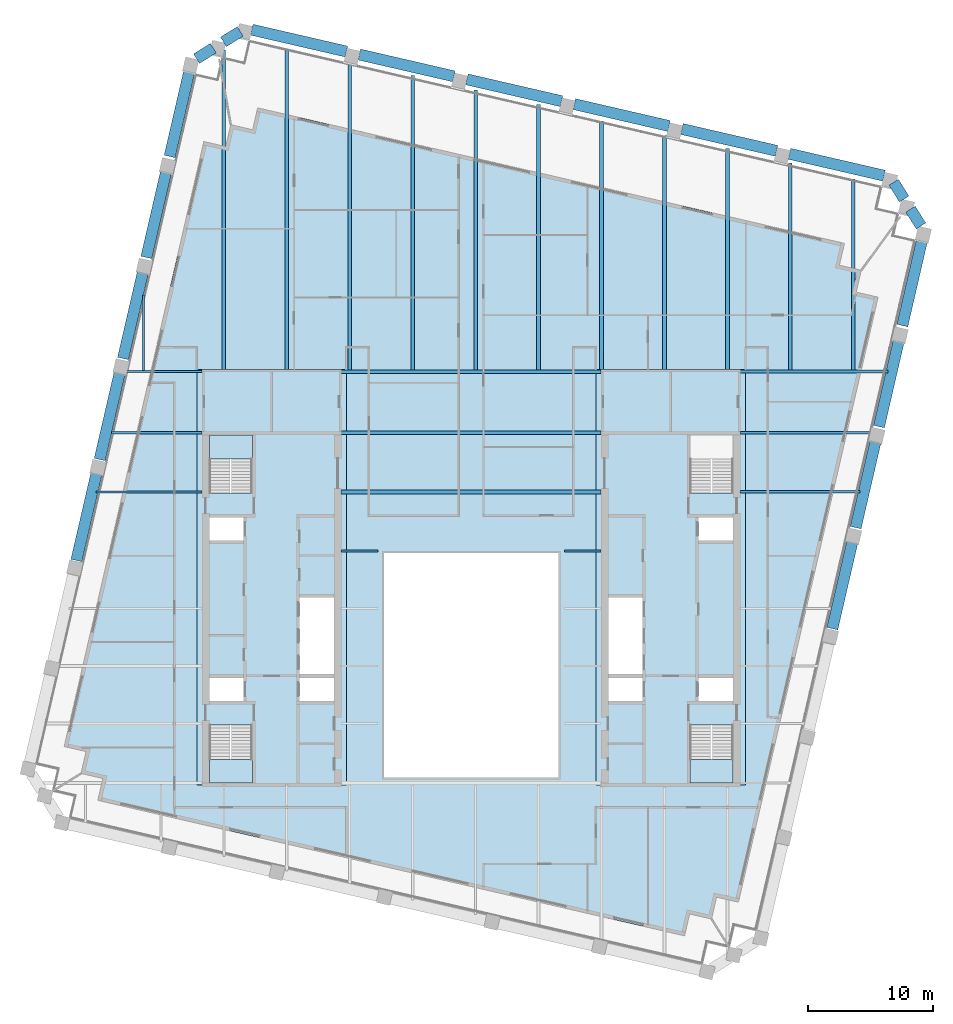
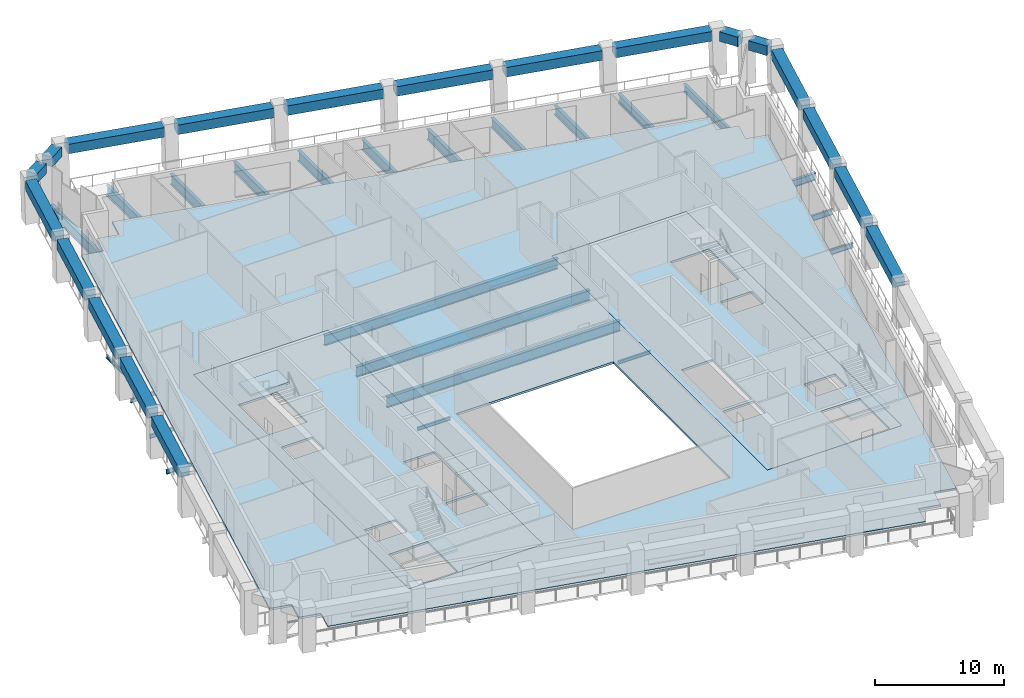
# One storey, part 2 of 10: 42 beams, 6 slabs, 3 elements without a shape of their own.
"""IFC4 building model written with IfcOpenShell, lengths in metres."""

from ifc_helpers import new_model, si_unit, direction, frame, origin, origin_2d, place, context, subcontext, project, spatial, polyline, rectangle, i_section, outline, extrude, material, layer, layer_set, material_profile, profile_set, type_object, element, aggregate, save


model = new_model("IFC4")

# Units and contexts
model_context = context("Model", 3, precision=1e-05, world=origin(), true_north=direction((0.0, 1.0)))
body_context = subcontext(model_context, "Body", "Model", "MODEL_VIEW")
ifc_project = project(units=[si_unit("LENGTHUNIT", "METRE"), si_unit("AREAUNIT", "SQUARE_METRE"), si_unit("VOLUMEUNIT", "CUBIC_METRE"), si_unit("PLANEANGLEUNIT", "RADIAN"), si_unit("MASSUNIT", "GRAM", prefix="KILO")], contexts=[model_context])

# Site, building, storey
site_placement = place(None, origin())
site = spatial("IfcSite", under=ifc_project, at=site_placement, CompositionType="ELEMENT")
building_placement = place(site_placement, origin())
building = spatial("IfcBuilding", under=site, at=building_placement, Name="Ogive Exchange Tower", CompositionType="ELEMENT")
storey_placement = place(building_placement, frame((0.0, 0.0, 272.39990234375)))
storey = spatial("IfcBuildingStorey", under=building, at=storey_placement, Name="L59", CompositionType="ELEMENT", Elevation=272.39990234375)

# Beams
ifc_material_1 = material(Name="Steel ASTM A992 Gr50", Category="steel")
ifc_material_profile_1 = material_profile(ifc_material_1, i_section(OverallWidth=0.300048828125, OverallDepth=0.969970703125, WebThickness=0.01611328125, FlangeThickness=0.02099609375, at=origin_2d()), Name="W1000x222")
ifc_profile_set_1 = profile_set([ifc_material_profile_1], Name="Steel ASTM A992 Gr50")
beam_type_1 = type_object("IfcBeamType", Name="Floor beam W1000x222", PredefinedType="JOIST", material=ifc_profile_set_1)
beam_1_placement = place(storey_placement, frame((10.459228515625, 30.699951171875, -0.684814453125), z_axis=(0.0, 1.0, 0.0), x_axis=(-1.0, 0.0, 0.0)))
element("IfcBeam", 1, at=beam_1_placement, inside=storey, type_object=beam_type_1, Name="Floor beam", PredefinedType="JOIST", context=body_context, shape_type="SweptSolid", body=[
    extrude(i_section(OverallWidth=0.300048828125, OverallDepth=0.969970703125, WebThickness=0.01611328125, FlangeThickness=0.02099609375, at=origin_2d()), origin(), (0.0, 0.0, 1.0), 19.939208984375),
])
ifc_material_profile_2 = material_profile(ifc_material_1, i_section(OverallWidth=0.300048828125, OverallDepth=0.97998046875, WebThickness=0.0166015625, FlangeThickness=0.026123046875, at=origin_2d()), Name="W1000x249")
ifc_profile_set_2 = profile_set([ifc_material_profile_2], Name="Steel ASTM A992 Gr50")
beam_type_2 = type_object("IfcBeamType", Name="Floor beam W1000x249", PredefinedType="JOIST", material=ifc_profile_set_2)
for number, where, z_axis, x_axis, name in (
    (2, (-10.419921875, 20.89990234375, -0.68994140625), (1.0, 0.0, 0.0), (0.0, 1.0, 0.0), "Floor beam"),
    (3, (-10.419921875, 25.64501953125, -0.68994140625), (1.0, 0.0, 0.0), (0.0, 1.0, 0.0), "Floor beam"),
):
    element("IfcBeam", number, at=place(storey_placement, frame(where, z_axis=z_axis, x_axis=x_axis)), inside=storey, type_object=beam_type_2, Name=name, PredefinedType="JOIST", context=body_context, shape_type="SweptSolid", body=[
        extrude(i_section(OverallWidth=0.300048828125, OverallDepth=0.97998046875, WebThickness=0.0166015625, FlangeThickness=0.026123046875, at=origin_2d()), origin(), (0.0, 0.0, 1.0), 20.83984375),
    ])
beam_2_placement = place(storey_placement, frame((-19.832763671875, 30.699951171875, -0.68994140625), z_axis=(0.0, 1.0, 0.0), x_axis=(-1.0, 0.0, 0.0)))
element("IfcBeam", 4, at=beam_2_placement, inside=storey, type_object=beam_type_2, Name="Floor beam", PredefinedType="JOIST", context=body_context, shape_type="SweptSolid", body=[
    extrude(i_section(OverallWidth=0.300048828125, OverallDepth=0.97998046875, WebThickness=0.0166015625, FlangeThickness=0.026123046875, at=origin_2d()), origin(), (0.0, 0.0, 1.0), 25.627685546875),
])
beam_3_placement = place(storey_placement, frame((-14.783935546875, 30.699951171875, -0.68994140625), z_axis=(0.0, 1.0, 0.0), x_axis=(-1.0, 0.0, 0.0)))
element("IfcBeam", 5, at=beam_3_placement, inside=storey, type_object=beam_type_2, Name="Floor beam", PredefinedType="JOIST", context=body_context, shape_type="SweptSolid", body=[
    extrude(i_section(OverallWidth=0.300048828125, OverallDepth=0.97998046875, WebThickness=0.0166015625, FlangeThickness=0.026123046875, at=origin_2d()), origin(), (0.0, 0.0, 1.0), 25.76708984375),
])
beam_4_placement = place(storey_placement, frame((-9.7353515625, 30.695068359375, -0.68994140625), z_axis=(0.0, 1.0, 0.0), x_axis=(-1.0, 0.0, 0.0)))
element("IfcBeam", 6, at=beam_4_placement, inside=storey, type_object=beam_type_2, Name="Floor beam", PredefinedType="JOIST", context=body_context, shape_type="SweptSolid", body=[
    extrude(i_section(OverallWidth=0.300048828125, OverallDepth=0.97998046875, WebThickness=0.0166015625, FlangeThickness=0.026123046875, at=origin_2d()), origin(), (0.0, 0.0, 1.0), 24.6064453125),
])
beam_5_placement = place(storey_placement, frame((-4.686767578125, 30.695068359375, -0.68994140625), z_axis=(0.0, 1.0, 0.0), x_axis=(-1.0, 0.0, 0.0)))
element("IfcBeam", 7, at=beam_5_placement, inside=storey, type_object=beam_type_2, Name="Floor beam", PredefinedType="JOIST", context=body_context, shape_type="SweptSolid", body=[
    extrude(i_section(OverallWidth=0.300048828125, OverallDepth=0.97998046875, WebThickness=0.0166015625, FlangeThickness=0.026123046875, at=origin_2d()), origin(), (0.0, 0.0, 1.0), 23.5908203125),
])
beam_6_placement = place(storey_placement, frame((0.362060546875, 30.695068359375, -0.68994140625), z_axis=(0.0, 1.0, 0.0), x_axis=(-1.0, 0.0, 0.0)))
element("IfcBeam", 8, at=beam_6_placement, inside=storey, type_object=beam_type_2, Name="Floor beam", PredefinedType="JOIST", context=body_context, shape_type="SweptSolid", body=[
    extrude(i_section(OverallWidth=0.300048828125, OverallDepth=0.97998046875, WebThickness=0.0166015625, FlangeThickness=0.026123046875, at=origin_2d()), origin(), (0.0, 0.0, 1.0), 22.425048828125),
])
beam_7_placement = place(storey_placement, frame((5.41064453125, 30.695068359375, -0.68994140625), z_axis=(0.0, 1.0, 0.0), x_axis=(-1.0, 0.0, 0.0)))
element("IfcBeam", 9, at=beam_7_placement, inside=storey, type_object=beam_type_2, Name="Floor beam", PredefinedType="JOIST", context=body_context, shape_type="SweptSolid", body=[
    extrude(i_section(OverallWidth=0.300048828125, OverallDepth=0.97998046875, WebThickness=0.0166015625, FlangeThickness=0.026123046875, at=origin_2d()), origin(), (0.0, 0.0, 1.0), 21.259521484375),
])
ifc_material_profile_3 = material_profile(ifc_material_1, i_section(OverallWidth=0.1650390625, OverallDepth=0.31005859375, WebThickness=0.005859375, FlangeThickness=0.009765625, at=origin_2d()), Name="W310x38.7")
ifc_profile_set_3 = profile_set([ifc_material_profile_3], Name="Steel ASTM A992 Gr50")
beam_type_3 = type_object("IfcBeamType", Name="Floor beam W310x38.7", PredefinedType="JOIST", material=ifc_profile_set_3)
beam_8_placement = place(storey_placement, frame((-26.281494140625, 30.630615234375, -0.35498046875), z_axis=(0.0, 1.0, 0.0), x_axis=(-1.0, 0.0, 0.0)))
element("IfcBeam", 10, at=beam_8_placement, inside=storey, type_object=beam_type_3, Name="Floor beam", PredefinedType="JOIST", context=body_context, shape_type="SweptSolid", body=[
    extrude(i_section(OverallWidth=0.1650390625, OverallDepth=0.31005859375, WebThickness=0.005859375, FlangeThickness=0.009765625, at=origin_2d()), origin(), (0.0, 0.0, 1.0), 6.060791015625),
])
ifc_material_profile_4 = material_profile(ifc_material_1, i_section(OverallWidth=0.1708984375, OverallDepth=0.35595703125, WebThickness=0.00732421875, FlangeThickness=0.01171875, at=origin_2d()), Name="W360x51")
ifc_profile_set_4 = profile_set([ifc_material_profile_4], Name="Steel ASTM A992 Gr50")
beam_type_4 = type_object("IfcBeamType", Name="Floor beam W360x51", PredefinedType="JOIST", material=ifc_profile_set_4)
beam_9_placement = place(storey_placement, frame((-28.831787109375, 25.64501953125, -0.3779296875), z_axis=(1.0, 0.0, 0.0), x_axis=(0.0, 1.0, 0.0)))
element("IfcBeam", 11, at=beam_9_placement, inside=storey, type_object=beam_type_4, Name="Floor beam", PredefinedType="JOIST", context=body_context, shape_type="SweptSolid", body=[
    extrude(i_section(OverallWidth=0.1708984375, OverallDepth=0.35595703125, WebThickness=0.00732421875, FlangeThickness=0.01171875, at=origin_2d()), origin(), (0.0, 0.0, 1.0), 7.251708984375),
])
ifc_material_profile_5 = material_profile(ifc_material_1, i_section(OverallWidth=0.177978515625, OverallDepth=0.406005859375, WebThickness=0.0078125, FlangeThickness=0.0126953125, at=origin_2d()), Name="W410x60")
ifc_profile_set_5 = profile_set([ifc_material_profile_5], Name="Steel ASTM A992 Gr50")
beam_type_5 = type_object("IfcBeamType", Name="Floor beam W410x60", PredefinedType="JOIST", material=ifc_profile_set_5)
beam_10_placement = place(storey_placement, frame((-30.0771484375, 20.89990234375, -0.40283203125), z_axis=(1.0, 0.0, 0.0), x_axis=(0.0, 1.0, 0.0)))
element("IfcBeam", 12, at=beam_10_placement, inside=storey, type_object=beam_type_5, Name="Floor beam", PredefinedType="JOIST", context=body_context, shape_type="SweptSolid", body=[
    extrude(i_section(OverallWidth=0.177978515625, OverallDepth=0.406005859375, WebThickness=0.0078125, FlangeThickness=0.0126953125, at=origin_2d()), origin(), (0.0, 0.0, 1.0), 8.4970703125),
])
ifc_material_profile_6 = material_profile(ifc_material_1, i_section(OverallWidth=0.19189453125, OverallDepth=0.4619140625, WebThickness=0.010498046875, FlangeThickness=0.017578125, at=origin_2d()), Name="W460x89")
ifc_profile_set_6 = profile_set([ifc_material_profile_6], Name="Steel ASTM A992 Gr50")
beam_type_6 = type_object("IfcBeamType", Name="Floor beam W460x89", PredefinedType="JOIST", material=ifc_profile_set_6)
beam_11_placement = place(storey_placement, frame((21.580078125, 20.89990234375, -0.430908203125), z_axis=(1.0, 0.0, 0.0), x_axis=(0.0, 1.0, 0.0)))
element("IfcBeam", 13, at=beam_11_placement, inside=storey, type_object=beam_type_6, Name="Floor beam", PredefinedType="JOIST", context=body_context, shape_type="SweptSolid", body=[
    extrude(i_section(OverallWidth=0.19189453125, OverallDepth=0.4619140625, WebThickness=0.010498046875, FlangeThickness=0.017578125, at=origin_2d()), origin(), (0.0, 0.0, 1.0), 9.605224609375),
])
ifc_material_profile_7 = material_profile(ifc_material_1, i_section(OverallWidth=0.1669921875, OverallDepth=0.535888671875, WebThickness=0.01025390625, FlangeThickness=0.0166015625, at=origin_2d()), Name="W530x85")
ifc_profile_set_7 = profile_set([ifc_material_profile_7], Name="Steel ASTM A992 Gr50")
beam_type_7 = type_object("IfcBeamType", Name="Floor beam W530x85", PredefinedType="JOIST", material=ifc_profile_set_7)
beam_12_placement = place(storey_placement, frame((21.580078125, 25.64501953125, -0.468017578125), z_axis=(1.0, 0.0, 0.0), x_axis=(0.0, 1.0, 0.0)))
element("IfcBeam", 14, at=beam_12_placement, inside=storey, type_object=beam_type_7, Name="Floor beam", PredefinedType="JOIST", context=body_context, shape_type="SweptSolid", body=[
    extrude(i_section(OverallWidth=0.1669921875, OverallDepth=0.535888671875, WebThickness=0.01025390625, FlangeThickness=0.0166015625, at=origin_2d()), origin(), (0.0, 0.0, 1.0), 10.55078125),
])
ifc_material_profile_8 = material_profile(ifc_material_1, i_section(OverallWidth=0.26708984375, OverallDepth=0.75390625, WebThickness=0.01318359375, FlangeThickness=0.01708984375, at=origin_2d()), Name="W760x147")
ifc_profile_set_8 = profile_set([ifc_material_profile_8], Name="Steel ASTM A992 Gr50")
beam_type_8 = type_object("IfcBeamType", Name="Floor beam W760x147", PredefinedType="JOIST", material=ifc_profile_set_8)
beam_13_placement = place(storey_placement, frame((30.654052734375, 30.672119140625, -0.576904296875), z_axis=(0.0, 1.0, 0.0), x_axis=(-1.0, 0.0, 0.0)))
element("IfcBeam", 15, at=beam_13_placement, inside=storey, type_object=beam_type_8, Name="Floor beam", PredefinedType="JOIST", context=body_context, shape_type="SweptSolid", body=[
    extrude(i_section(OverallWidth=0.26708984375, OverallDepth=0.75390625, WebThickness=0.01318359375, FlangeThickness=0.01708984375, at=origin_2d()), origin(), (0.0, 0.0, 1.0), 15.3046875),
])
ifc_material_profile_9 = material_profile(ifc_material_1, i_section(OverallWidth=0.2919921875, OverallDepth=0.8359375, WebThickness=0.013916015625, FlangeThickness=0.018798828125, at=origin_2d()), Name="W840x176")
ifc_profile_set_9 = profile_set([ifc_material_profile_9], Name="Steel ASTM A992 Gr50")
beam_type_9 = type_object("IfcBeamType", Name="Floor beam W840x176", PredefinedType="JOIST", material=ifc_profile_set_9)
beam_14_placement = place(storey_placement, frame((25.605224609375, 30.672119140625, -0.617919921875), z_axis=(0.0, 1.0, 0.0), x_axis=(-1.0, 0.0, 0.0)))
element("IfcBeam", 16, at=beam_14_placement, inside=storey, type_object=beam_type_9, Name="Floor beam", PredefinedType="JOIST", context=body_context, shape_type="SweptSolid", body=[
    extrude(i_section(OverallWidth=0.2919921875, OverallDepth=0.8359375, WebThickness=0.013916015625, FlangeThickness=0.018798828125, at=origin_2d()), origin(), (0.0, 0.0, 1.0), 16.6201171875),
])
ifc_material_profile_10 = material_profile(ifc_material_1, i_section(OverallWidth=0.2919921875, OverallDepth=0.845947265625, WebThickness=0.015380859375, FlangeThickness=0.0244140625, at=origin_2d()), Name="W840x210")
ifc_profile_set_10 = profile_set([ifc_material_profile_10], Name="Steel ASTM A992 Gr50")
beam_type_10 = type_object("IfcBeamType", Name="Floor beam W840x210", PredefinedType="JOIST", material=ifc_profile_set_10)
beam_15_placement = place(storey_placement, frame((20.556640625, 30.699951171875, -0.622802734375), z_axis=(0.0, 1.0, 0.0), x_axis=(-1.0, 0.0, 0.0)))
element("IfcBeam", 17, at=beam_15_placement, inside=storey, type_object=beam_type_10, Name="Floor beam", PredefinedType="JOIST", context=body_context, shape_type="SweptSolid", body=[
    extrude(i_section(OverallWidth=0.2919921875, OverallDepth=0.845947265625, WebThickness=0.015380859375, FlangeThickness=0.0244140625, at=origin_2d()), origin(), (0.0, 0.0, 1.0), 17.758056640625),
])
ifc_material_profile_11 = material_profile(ifc_material_1, i_section(OverallWidth=0.304931640625, OverallDepth=0.904052734375, WebThickness=0.01513671875, FlangeThickness=0.02001953125, at=origin_2d()), Name="W920x201")
ifc_profile_set_11 = profile_set([ifc_material_profile_11], Name="Steel ASTM A992 Gr50")
beam_type_11 = type_object("IfcBeamType", Name="Floor beam W920x201", PredefinedType="JOIST", material=ifc_profile_set_11)
beam_16_placement = place(storey_placement, frame((15.508056640625, 30.699951171875, -0.65185546875), z_axis=(0.0, 1.0, 0.0), x_axis=(-1.0, 0.0, 0.0)))
element("IfcBeam", 18, at=beam_16_placement, inside=storey, type_object=beam_type_11, Name="Floor beam", PredefinedType="JOIST", context=body_context, shape_type="SweptSolid", body=[
    extrude(i_section(OverallWidth=0.304931640625, OverallDepth=0.904052734375, WebThickness=0.01513671875, FlangeThickness=0.02001953125, at=origin_2d()), origin(), (0.0, 0.0, 1.0), 18.7734375),
])
ifc_material_profile_12 = material_profile(ifc_material_1, i_section(OverallWidth=0.300048828125, OverallDepth=0.97998046875, WebThickness=0.0166015625, FlangeThickness=0.026123046875, at=origin_2d()), Name="W1000x249")
ifc_profile_set_12 = profile_set([ifc_material_profile_12], Name="Steel ASTM A992 Gr50")
beam_type_12 = type_object("IfcBeamType", Name="Girder W1000x249", PredefinedType="BEAM", material=ifc_profile_set_12)
beam_17_placement = place(storey_placement, frame((-10.419921875, 30.544921875, -0.68994140625), z_axis=(1.0, 0.0, 0.0), x_axis=(0.0, 1.0, 0.0)))
element("IfcBeam", 19, at=beam_17_placement, inside=storey, type_object=beam_type_12, Name="Header girder", PredefinedType="BEAM", context=body_context, shape_type="SweptSolid", body=[
    extrude(i_section(OverallWidth=0.300048828125, OverallDepth=0.97998046875, WebThickness=0.0166015625, FlangeThickness=0.026123046875, at=origin_2d()), origin(), (0.0, 0.0, 1.0), 20.83984375),
])
ifc_material_profile_13 = material_profile(ifc_material_1, i_section(OverallWidth=0.1650390625, OverallDepth=0.31005859375, WebThickness=0.005859375, FlangeThickness=0.009765625, at=origin_2d()), Name="W310x38.7")
ifc_profile_set_13 = profile_set([ifc_material_profile_13], Name="Steel ASTM A992 Gr50")
beam_type_13 = type_object("IfcBeamType", Name="Girder W310x38.7", PredefinedType="BEAM", material=ifc_profile_set_13)
for number, where, z_axis, x_axis, name in (
    (20, (-10.419921875, 16.155029296875, -0.35498046875), (1.0, 0.0, 0.0), (0.0, 1.0, 0.0), "Trimmer girder"),
    (21, (7.469970703125, 16.155029296875, -0.35498046875), (1.0, 0.0, 0.0), (0.0, 1.0, 0.0), "Trimmer girder"),
):
    element("IfcBeam", number, at=place(storey_placement, frame(where, z_axis=z_axis, x_axis=x_axis)), inside=storey, type_object=beam_type_13, Name=name, PredefinedType="BEAM", context=body_context, shape_type="SweptSolid", body=[
        extrude(i_section(OverallWidth=0.1650390625, OverallDepth=0.31005859375, WebThickness=0.005859375, FlangeThickness=0.009765625, at=origin_2d()), origin(), (0.0, 0.0, 1.0), 2.949951171875),
    ])
ifc_material_profile_14 = material_profile(ifc_material_1, i_section(OverallWidth=0.1708984375, OverallDepth=0.35595703125, WebThickness=0.00732421875, FlangeThickness=0.01171875, at=origin_2d()), Name="W360x51")
ifc_profile_set_14 = profile_set([ifc_material_profile_14], Name="Steel ASTM A992 Gr50")
beam_type_14 = type_object("IfcBeamType", Name="Girder W360x51", PredefinedType="BEAM", material=ifc_profile_set_14)
beam_18_placement = place(storey_placement, frame((-27.700439453125, 30.544921875, -0.3779296875), z_axis=(1.0, 0.0, 0.0), x_axis=(0.0, 1.0, 0.0)))
element("IfcBeam", 22, at=beam_18_placement, inside=storey, type_object=beam_type_14, Name="Header girder", PredefinedType="BEAM", context=body_context, shape_type="SweptSolid", body=[
    extrude(i_section(OverallWidth=0.1708984375, OverallDepth=0.35595703125, WebThickness=0.00732421875, FlangeThickness=0.01171875, at=origin_2d()), origin(), (0.0, 0.0, 1.0), 6.120361328125),
])
ifc_material_profile_15 = material_profile(ifc_material_1, i_section(OverallWidth=0.25390625, OverallDepth=0.677978515625, WebThickness=0.01171875, FlangeThickness=0.016357421875, at=origin_2d()), Name="W690x125")
ifc_profile_set_15 = profile_set([ifc_material_profile_15], Name="Steel ASTM A992 Gr50")
beam_type_15 = type_object("IfcBeamType", Name="Girder W690x125", PredefinedType="BEAM", material=ifc_profile_set_15)
beam_19_placement = place(storey_placement, frame((21.580078125, 30.544921875, -0.538818359375), z_axis=(1.0, 0.0, 0.0), x_axis=(0.0, 1.0, 0.0)))
element("IfcBeam", 23, at=beam_19_placement, inside=storey, type_object=beam_type_15, Name="Header girder", PredefinedType="BEAM", context=body_context, shape_type="SweptSolid", body=[
    extrude(i_section(OverallWidth=0.25390625, OverallDepth=0.677978515625, WebThickness=0.01171875, FlangeThickness=0.016357421875, at=origin_2d()), origin(), (0.0, 0.0, 1.0), 11.83203125),
])
ifc_material_2 = material(Name="Precast concrete C70/85 (limestone faced)", Category="masonry")
ifc_material_profile_16 = material_profile(ifc_material_2, rectangle(XDim=0.89990234375, YDim=0.89990234375, at=origin_2d()), Name="900 x 900")
ifc_profile_set_16 = profile_set([ifc_material_profile_16], Name="Precast concrete C70/85 (limestone faced)")
beam_type_16 = type_object("IfcBeamType", Name="Precast spandrel 900 x 900 C70/85", PredefinedType="SPANDREL", material=ifc_profile_set_16)
for number, where, z_axis, x_axis, name in (
    (24, (28.96630859375, 9.9375, 3.5), (0.224947991153, 0.974370771973, 0.0), (-0.974370771973, 0.224947991153, 0.0), "Spandrel 12"),
    (25, (30.83642578125, 18.03857421875, 3.5), (0.224979942505, 0.974363394977, 0.0), (-0.974363394977, 0.224979942505, 0.0), "Spandrel 13"),
    (26, (32.706787109375, 26.139892578125, 3.5), (0.224947991153, 0.974370771973, 0.0), (-0.974370771973, 0.224947991153, 0.0), "Spandrel 14"),
    (27, (34.5771484375, 34.240966796875, 3.5), (0.224947991153, 0.974370771973, 0.0), (-0.974370771973, 0.224947991153, 0.0), "Spandrel 15"),
):
    element("IfcBeam", number, at=place(storey_placement, frame(where, z_axis=z_axis, x_axis=x_axis)), inside=storey, type_object=beam_type_16, Name=name, PredefinedType="SPANDREL", context=body_context, shape_type="SweptSolid", body=[
        extrude(rectangle(XDim=0.89990234375, YDim=0.89990234375, at=origin_2d()), origin(), (0.0, 0.0, 1.0), 7.25439453125),
    ])
beam_20_placement = place(storey_placement, frame((36.074951171875, 42.23095703125, 3.5), z_axis=(-0.529902320601, 0.848058683477, 0.0), x_axis=(-0.848058683477, -0.529902320601, 0.0)))
element("IfcBeam", 28, at=beam_20_placement, inside=storey, type_object=beam_type_16, Name="Spandrel 16", PredefinedType="SPANDREL", context=body_context, shape_type="SweptSolid", body=[
    extrude(rectangle(XDim=0.89990234375, YDim=0.89990234375, at=origin_2d()), origin(), (0.0, 0.0, 1.0), 1.590087890625),
])
beam_21_placement = place(storey_placement, frame((34.72607421875, 44.389892578125, 3.5), z_axis=(-0.529971331567, 0.848015558653, 0.0), x_axis=(-0.848015558653, -0.529971331567, 0.0)))
element("IfcBeam", 29, at=beam_21_placement, inside=storey, type_object=beam_type_16, Name="Spandrel 17", PredefinedType="SPANDREL", context=body_context, shape_type="SweptSolid", body=[
    extrude(rectangle(XDim=0.89990234375, YDim=0.89990234375, at=origin_2d()), origin(), (0.0, 0.0, 1.0), 1.58984375),
])
for number, where, z_axis, x_axis, name in (
    (30, (33.114013671875, 46.262451171875, 3.5), (-0.974367949416, 0.224960216819, 0.0), (-0.224960216819, -0.974367949416, 0.0), "Spandrel 18"),
    (31, (24.49072265625, 48.25341796875, 3.5), (-0.974374818602, 0.224930462307, 0.0), (-0.224930462307, -0.974374818602, 0.0), "Spandrel 19"),
):
    element("IfcBeam", number, at=place(storey_placement, frame(where, z_axis=z_axis, x_axis=x_axis)), inside=storey, type_object=beam_type_16, Name=name, PredefinedType="SPANDREL", context=body_context, shape_type="SweptSolid", body=[
        extrude(rectangle(XDim=0.89990234375, YDim=0.89990234375, at=origin_2d()), origin(), (0.0, 0.0, 1.0), 7.7900390625),
    ])
beam_22_placement = place(storey_placement, frame((15.86767578125, 50.244140625, 3.5), z_axis=(-0.974369535382, 0.224953347431, 0.0), x_axis=(-0.224953347431, -0.974369535382, 0.0)))
element("IfcBeam", 32, at=beam_22_placement, inside=storey, type_object=beam_type_16, Name="Spandrel 20", PredefinedType="SPANDREL", context=body_context, shape_type="SweptSolid", body=[
    extrude(rectangle(XDim=0.89990234375, YDim=0.89990234375, at=origin_2d()), origin(), (0.0, 0.0, 1.0), 7.790283203125),
])
beam_23_placement = place(storey_placement, frame((7.244384765625, 52.235107421875, 3.5), z_axis=(-0.974374818602, 0.224930462307, 0.0), x_axis=(-0.224930462307, -0.974374818602, 0.0)))
element("IfcBeam", 33, at=beam_23_placement, inside=storey, type_object=beam_type_16, Name="Spandrel 21", PredefinedType="SPANDREL", context=body_context, shape_type="SweptSolid", body=[
    extrude(rectangle(XDim=0.89990234375, YDim=0.89990234375, at=origin_2d()), origin(), (0.0, 0.0, 1.0), 7.7900390625),
])
beam_24_placement = place(storey_placement, frame((-1.37890625, 54.225830078125, 3.5), z_axis=(-0.974366363305, 0.224967086616, 0.0), x_axis=(-0.224967086616, -0.974366363305, 0.0)))
element("IfcBeam", 34, at=beam_24_placement, inside=storey, type_object=beam_type_16, Name="Spandrel 22", PredefinedType="SPANDREL", context=body_context, shape_type="SweptSolid", body=[
    extrude(rectangle(XDim=0.89990234375, YDim=0.89990234375, at=origin_2d()), origin(), (0.0, 0.0, 1.0), 7.789794921875),
])
beam_25_placement = place(storey_placement, frame((-10.001953125, 56.216552734375, 3.5), z_axis=(-0.974367949416, 0.224960216819, 0.0), x_axis=(-0.224960216819, -0.974367949416, 0.0)))
element("IfcBeam", 35, at=beam_25_placement, inside=storey, type_object=beam_type_16, Name="Spandrel 23", PredefinedType="SPANDREL", context=body_context, shape_type="SweptSolid", body=[
    extrude(rectangle(XDim=0.89990234375, YDim=0.89990234375, at=origin_2d()), origin(), (0.0, 0.0, 1.0), 7.7900390625),
])
for number, where, z_axis, x_axis, name in (
    (36, (-18.513916015625, 57.8349609375, 3.5), (-0.848058683477, -0.529902320601, 0.0), (0.529902320601, -0.848058683477, 0.0), "Spandrel 24"),
    (37, (-20.672607421875, 56.486083984375, 3.5), (-0.848058683477, -0.529902320601, 0.0), (0.529902320601, -0.848058683477, 0.0), "Spandrel 25"),
):
    element("IfcBeam", number, at=place(storey_placement, frame(where, z_axis=z_axis, x_axis=x_axis)), inside=storey, type_object=beam_type_16, Name=name, PredefinedType="SPANDREL", context=body_context, shape_type="SweptSolid", body=[
        extrude(rectangle(XDim=0.89990234375, YDim=0.89990234375, at=origin_2d()), origin(), (0.0, 0.0, 1.0), 1.590087890625),
    ])
for number, where, z_axis, x_axis, name in (
    (38, (-22.54541015625, 54.873779296875, 3.5), (-0.224979942505, -0.974363394977, 0.0), (0.974363394977, -0.224979942505, 0.0), "Spandrel 26"),
    (39, (-24.415771484375, 46.772705078125, 3.5), (-0.224947991153, -0.974370771973, 0.0), (0.974370771973, -0.224947991153, 0.0), "Spandrel 27"),
):
    element("IfcBeam", number, at=place(storey_placement, frame(where, z_axis=z_axis, x_axis=x_axis)), inside=storey, type_object=beam_type_16, Name=name, PredefinedType="SPANDREL", context=body_context, shape_type="SweptSolid", body=[
        extrude(rectangle(XDim=0.89990234375, YDim=0.89990234375, at=origin_2d()), origin(), (0.0, 0.0, 1.0), 7.25439453125),
    ])
beam_26_placement = place(storey_placement, frame((-26.2861328125, 38.67138671875, 3.5), z_axis=(-0.224955367918, -0.974369068908, 0.0), x_axis=(0.974369068908, -0.224955367918, 0.0)))
element("IfcBeam", 40, at=beam_26_placement, inside=storey, type_object=beam_type_16, Name="Spandrel 28", PredefinedType="SPANDREL", context=body_context, shape_type="SweptSolid", body=[
    extrude(rectangle(XDim=0.89990234375, YDim=0.89990234375, at=origin_2d()), origin(), (0.0, 0.0, 1.0), 7.254150390625),
])
beam_27_placement = place(storey_placement, frame((-28.156494140625, 30.5703125, 3.5), z_axis=(-0.224947991153, -0.974370771973, 0.0), x_axis=(0.974370771973, -0.224947991153, 0.0)))
element("IfcBeam", 41, at=beam_27_placement, inside=storey, type_object=beam_type_16, Name="Spandrel 29", PredefinedType="SPANDREL", context=body_context, shape_type="SweptSolid", body=[
    extrude(rectangle(XDim=0.89990234375, YDim=0.89990234375, at=origin_2d()), origin(), (0.0, 0.0, 1.0), 7.25439453125),
])
beam_28_placement = place(storey_placement, frame((-30.026611328125, 22.468994140625, 3.5), z_axis=(-0.224987320206, -0.97436169144, 0.0), x_axis=(0.97436169144, -0.224987320206, 0.0)))
element("IfcBeam", 42, at=beam_28_placement, inside=storey, type_object=beam_type_16, Name="Spandrel 30", PredefinedType="SPANDREL", context=body_context, shape_type="SweptSolid", body=[
    extrude(rectangle(XDim=0.89990234375, YDim=0.89990234375, at=origin_2d()), origin(), (0.0, 0.0, 1.0), 7.254150390625),
])

# Slabs
ifc_material_3 = material(Name="Concrete C50/60", Category="concrete")
ifc_layer_1 = layer(ifc_material_3, 0.199951171875)
ifc_layer_set_1 = layer_set([ifc_layer_1], Name="Composite floor slab 200")
slab_type_1 = type_object("IfcSlabType", Name="Composite floor slab 200", PredefinedType="FLOOR", material=ifc_layer_set_1)
slab_1_placement = place(storey_placement, frame((0.0, 0.0, -0.199951171875)))
element("IfcSlab", 43, at=slab_1_placement, inside=storey, type_object=slab_type_1, Name="Composite floor slab", PredefinedType="FLOOR", context=body_context, shape_type="SweptSolid", body=[
    extrude(outline(polyline([(-29.537109375, -2.0830078125), (-31.291015625, -1.67822265625), (-30.88623046875, 0.07568359375), (-32.64013671875, 0.480712890625), (-21.4375, 49.004150390625), (-19.68359375, 48.599365234375), (-19.27880859375, 50.353271484375), (-17.52490234375, 49.9482421875), (-17.119873046875, 51.7021484375), (29.942138671875, 40.8369140625), (29.537109375, 39.0830078125), (31.291015625, 38.67822265625), (30.88623046875, 36.92431640625), (32.64013671875, 36.519287109375), (21.4375, -12.004150390625), (19.68359375, -11.599365234375), (19.27880859375, -13.353271484375), (17.52490234375, -12.9482421875), (17.119873046875, -14.7021484375), (-29.942138671875, -3.8369140625), (-29.537109375, -2.0830078125)]), holes=[polyline([(7.0, -2.0), (7.0, 16.0), (-7.0, 16.0), (-7.0, -2.0), (7.0, -2.0)]), polyline([(-22.0, -2.60009765625), (-10.0, -2.60009765625), (-10.0, 30.699951171875), (-22.0, 30.699951171875), (-22.0, -2.60009765625)]), polyline([(10.0, -2.60009765625), (22.0, -2.60009765625), (22.0, 30.699951171875), (10.0, 30.699951171875), (10.0, -2.60009765625)])]), origin(), (0.0, 0.0, 1.0), 0.199951171875),
])
ifc_material_4 = material(Name="Concrete C70/85", Category="concrete")
ifc_layer_2 = layer(ifc_material_4, 0.199951171875)
ifc_layer_set_2 = layer_set([ifc_layer_2], Name="Core floor slab 200")
slab_type_2 = type_object("IfcSlabType", Name="Core floor slab 200", PredefinedType="FLOOR", material=ifc_layer_set_2)
slab_2_placement = place(storey_placement, frame((0.0, 0.0, -0.199951171875)))
element("IfcSlab", 44, at=slab_2_placement, inside=storey, type_object=slab_type_2, Name="Core floor slab", PredefinedType="FLOOR", context=body_context, shape_type="SweptSolid", body=[
    extrude(outline(polyline([(-22.0, -2.60009765625), (-22.0, 30.699951171875), (-10.0, 30.699951171875), (-10.0, -2.60009765625), (-22.0, -2.60009765625)]), holes=[polyline([(-17.550048828125, 2.196044921875), (-21.0, 2.196044921875), (-21.0, -2.449951171875), (-17.550048828125, -2.449951171875), (-17.550048828125, 2.196044921875)]), polyline([(-18.25, 5.992919921875), (-21.0, 5.992919921875), (-21.0, 4.14990234375), (-18.25, 4.14990234375), (-18.25, 5.992919921875)]), polyline([(-11.0, 5.992919921875), (-13.75, 5.992919921875), (-13.75, 4.14990234375), (-11.0, 4.14990234375), (-11.0, 5.992919921875)]), polyline([(-13.75, 12.42138671875), (-13.75, 6.29296875), (-11.0, 6.29296875), (-11.0, 12.42138671875), (-13.75, 12.42138671875)]), polyline([(-18.25, 18.85009765625), (-21.0, 18.85009765625), (-21.0, 17.007080078125), (-18.25, 17.007080078125), (-18.25, 18.85009765625)]), polyline([(-21.0, 25.449951171875), (-21.0, 20.803955078125), (-17.550048828125, 20.803955078125), (-17.550048828125, 25.449951171875), (-21.0, 25.449951171875)])]), origin(), (0.0, 0.0, 1.0), 0.199951171875),
])
slab_3_placement = place(storey_placement, frame((0.0, 0.0, -0.199951171875)))
element("IfcSlab", 45, at=slab_3_placement, inside=storey, type_object=slab_type_2, Name="Core floor slab", PredefinedType="FLOOR", context=body_context, shape_type="SweptSolid", body=[
    extrude(outline(polyline([(10.0, -2.60009765625), (10.0, 30.699951171875), (22.0, 30.699951171875), (22.0, -2.60009765625), (10.0, -2.60009765625)]), holes=[polyline([(21.0, 2.196044921875), (17.550048828125, 2.196044921875), (17.550048828125, -2.449951171875), (21.0, -2.449951171875), (21.0, 2.196044921875)]), polyline([(13.75, 5.992919921875), (11.0, 5.992919921875), (11.0, 4.14990234375), (13.75, 4.14990234375), (13.75, 5.992919921875)]), polyline([(21.0, 5.992919921875), (18.25, 5.992919921875), (18.25, 4.14990234375), (21.0, 4.14990234375), (21.0, 5.992919921875)]), polyline([(11.0, 12.42138671875), (11.0, 6.29296875), (13.75, 6.29296875), (13.75, 12.42138671875), (11.0, 12.42138671875)]), polyline([(21.0, 18.85009765625), (18.25, 18.85009765625), (18.25, 17.007080078125), (21.0, 17.007080078125), (21.0, 18.85009765625)]), polyline([(17.550048828125, 25.449951171875), (17.550048828125, 20.803955078125), (21.0, 20.803955078125), (21.0, 25.449951171875), (17.550048828125, 25.449951171875)])]), origin(), (0.0, 0.0, 1.0), 0.199951171875),
])

# Stair, slab
ifc_material_5 = material(Name="Concrete C40/50", Category="concrete")
stair_type = type_object("IfcStairType", Name="Exit stair 1650 wide", PredefinedType="HALF_TURN_STAIR", material=ifc_material_5)
stair_1_placement = place(storey_placement, origin())
stair_1 = element("IfcStair", 46, at=stair_1_placement, inside=storey, type_object=stair_type, Name="L59 exit stair ST1", PredefinedType="HALF_TURN_STAIR")
ifc_layer_3 = layer(ifc_material_5, 0.199951171875)
ifc_layer_set_3 = layer_set([ifc_layer_3], Name="Stair landing 200 slab")
slab_type_3 = type_object("IfcSlabType", Name="Stair landing 200 slab", PredefinedType="LANDING", material=ifc_layer_set_3)
slab_4_placement = place(storey_placement, frame((0.0, 0.0, 1.900146484375)))
slab_4 = element("IfcSlab", 47, at=slab_4_placement, type_object=slab_type_3, Name="ST1 landing 1", PredefinedType="LANDING", context=body_context, shape_type="SweptSolid", body=[
    extrude(outline(polyline([(-21.0, -0.550048828125), (-21.0, -2.449951171875), (-17.550048828125, -2.449951171875), (-17.550048828125, -0.550048828125), (-21.0, -0.550048828125)])), origin(), (0.0, 0.0, 1.0), 0.199951171875),
])
aggregate(stair_1, [slab_4])

stair_2_placement = place(storey_placement, origin())
stair_2 = element("IfcStair", 48, at=stair_2_placement, inside=storey, type_object=stair_type, Name="L59 exit stair ST2", PredefinedType="HALF_TURN_STAIR")
slab_5_placement = place(storey_placement, frame((0.0, 0.0, 1.900146484375)))
slab_5 = element("IfcSlab", 49, at=slab_5_placement, type_object=slab_type_3, Name="ST2 landing 1", PredefinedType="LANDING", context=body_context, shape_type="SweptSolid", body=[
    extrude(outline(polyline([(-17.550048828125, 23.550048828125), (-17.550048828125, 25.449951171875), (-21.0, 25.449951171875), (-21.0, 23.550048828125), (-17.550048828125, 23.550048828125)])), origin(), (0.0, 0.0, 1.0), 0.199951171875),
])
aggregate(stair_2, [slab_5])

stair_3_placement = place(storey_placement, origin())
stair_3 = element("IfcStair", 50, at=stair_3_placement, inside=storey, type_object=stair_type, Name="L59 exit stair ST3", PredefinedType="HALF_TURN_STAIR")
slab_6_placement = place(storey_placement, frame((0.0, 0.0, 1.900146484375)))
slab_6 = element("IfcSlab", 51, at=slab_6_placement, type_object=slab_type_3, Name="ST3 landing 1", PredefinedType="LANDING", context=body_context, shape_type="SweptSolid", body=[
    extrude(outline(polyline([(17.550048828125, -0.550048828125), (17.550048828125, -2.449951171875), (21.0, -2.449951171875), (21.0, -0.550048828125), (17.550048828125, -0.550048828125)])), origin(), (0.0, 0.0, 1.0), 0.199951171875),
])
aggregate(stair_3, [slab_6])

save(model, "model.ifc")
